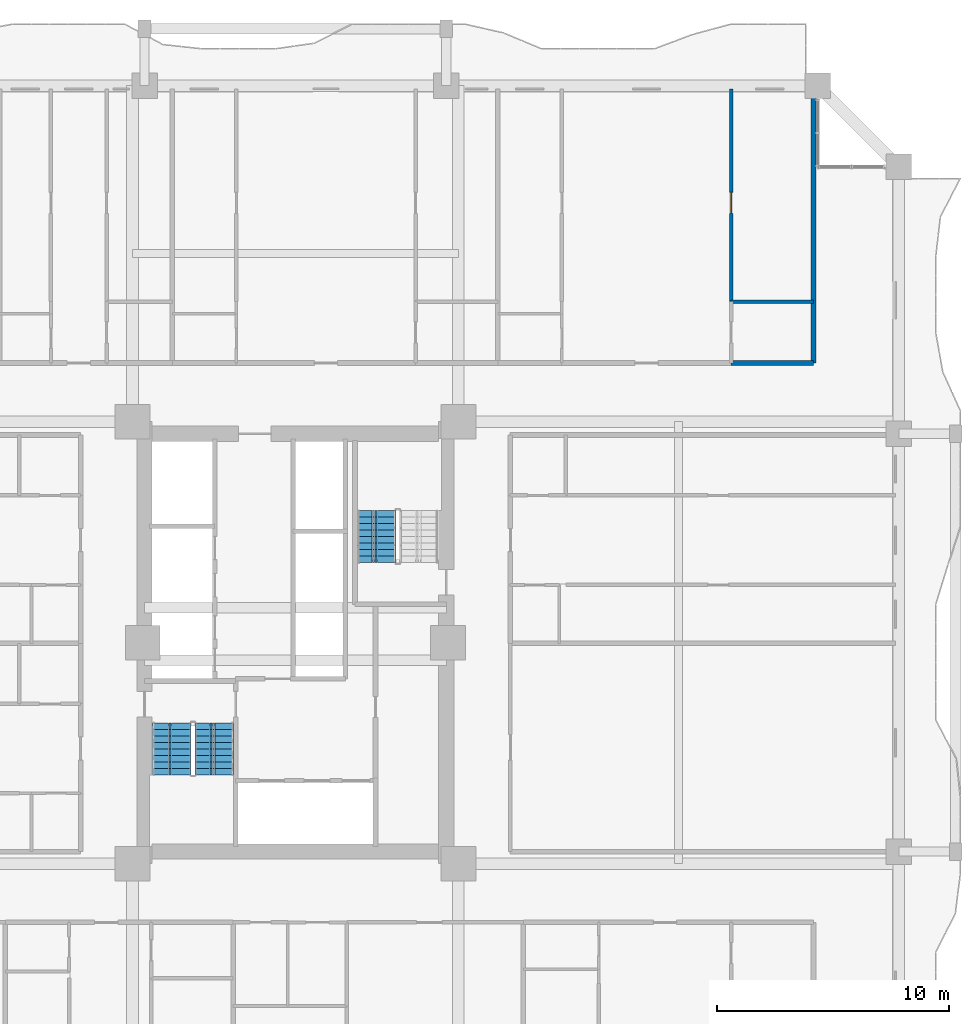
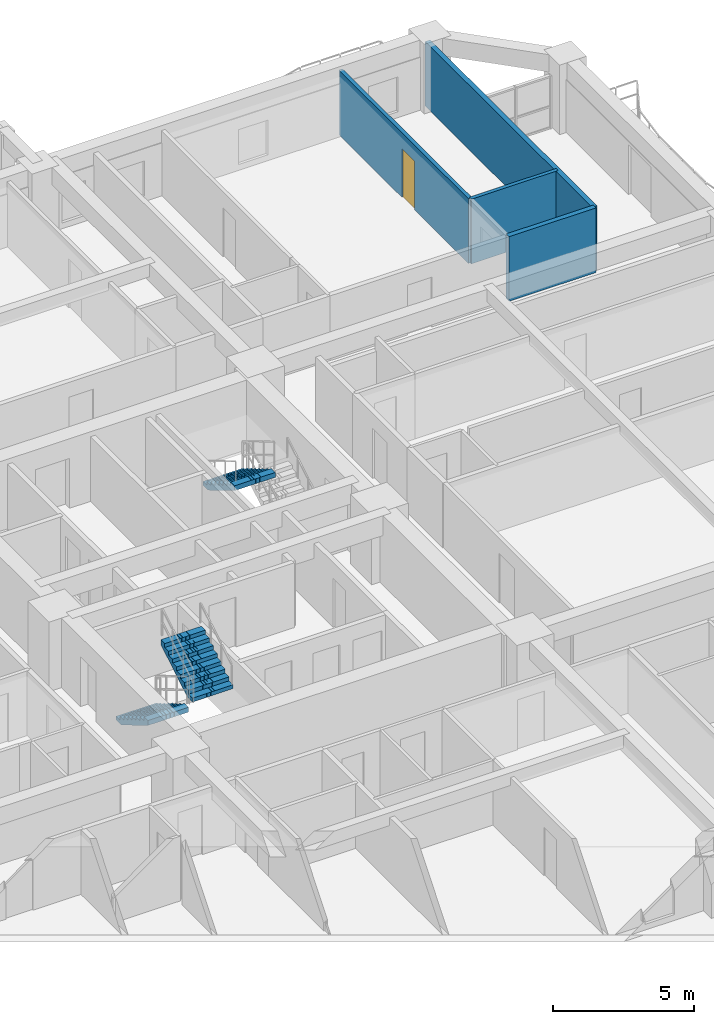
# One storey, part 20 of 27: 4 walls, 3 stair flights, 1 door, 1 opening, 2 elements without a shape of their own.
"""IFC4 building model written with IfcOpenShell, lengths in metres."""

from ifc_helpers import new_model, si_unit, direction, frame, frame_2d, origin, place, context, subcontext, project, spatial, polyline, rectangle, outline, extrude, source, transform, mapped, material, layer, layer_set, type_object, element, fill, aggregate, save


model = new_model("IFC4")

# Units and contexts
model_context = context("Model", 3, precision=1e-05, world=origin(), true_north=direction((0.0, 1.0)))
body_context = subcontext(model_context, "Body", "Model", "MODEL_VIEW")
ifc_project = project(units=[si_unit("LENGTHUNIT", "METRE"), si_unit("AREAUNIT", "SQUARE_METRE"), si_unit("VOLUMEUNIT", "CUBIC_METRE"), si_unit("PLANEANGLEUNIT", "RADIAN"), si_unit("MASSUNIT", "GRAM", prefix="KILO")], contexts=[model_context])

# Site, building, storey
site_placement = place(None, origin())
site = spatial("IfcSite", under=ifc_project, at=site_placement, CompositionType="ELEMENT")
building_placement = place(site_placement, origin())
building = spatial("IfcBuilding", under=site, at=building_placement, Name="Saelheon Loggia Tower", CompositionType="ELEMENT")
storey_placement = place(building_placement, frame((0.0, 0.0, 52.39990234375)))
storey = spatial("IfcBuildingStorey", under=building, at=storey_placement, Name="L16", CompositionType="ELEMENT", Elevation=52.39990234375)

# Wall
ifc_material_1 = material(Name="Lightweight Autoclaved Aerated Concrete Block and Acoustic Gypsum", Category="concrete")
ifc_layer_1 = layer(ifc_material_1, 0.14990234375)
ifc_layer_set_1 = layer_set([ifc_layer_1], Name="Lightweight Autoclaved Aerated Concrete Block and Acoustic Gypsum")
wall_type_1 = type_object("IfcWallType", Name="Wall_Part_150", PredefinedType="PARTITIONING", material=ifc_layer_set_1)
wall_1_placement = place(storey_placement, frame((56.77197265625, 41.68994140625, 0.0), z_axis=(0.0, 0.0, 1.0), x_axis=(1.0, 0.0, 0.0)))
element("IfcWall", 1, at=wall_1_placement, inside=storey, type_object=wall_type_1, Name="L16 N Partition V42", PredefinedType="PARTITIONING", context=body_context, shape_type="SweptSolid", body=[
    extrude(rectangle(XDim=3.548095703125, YDim=0.14990234375, at=frame_2d((1.77392578125, 0.0))), origin(), (0.0, 0.0, 1.0), 2.7900390625),
])

# Wall, opening, door
wall_2_placement = place(storey_placement, frame((56.77197265625, 41.68994140625, 0.0), z_axis=(0.0, 0.0, 1.0), x_axis=(0.0, 1.0, 0.0)))
wall_2 = element("IfcWall", 2, at=wall_2_placement, inside=storey, type_object=wall_type_1, Name="L16 N Partition U47", PredefinedType="PARTITIONING", context=body_context, shape_type="SweptSolid", body=[
    extrude(rectangle(XDim=9.16015625, YDim=0.14990234375, at=frame_2d((4.580078125, 0.0))), origin(), (0.0, 0.0, 1.0), 2.7900390625),
])
opening_placement = place(wall_2_placement, frame((3.805908203125, 0.0, 0.0)))
opening = element("IfcOpeningElement", 3, at=opening_placement, cuts=wall_2, Name="Opening D-IN2", PredefinedType="OPENING", context=body_context, shape_type="SweptSolid", body=[
    extrude(rectangle(XDim=0.89990234375, YDim=2.10009765625, at=frame_2d((0.449951171875, 1.050048828125))), frame((0.0, 0.0869140625, 0.0), z_axis=(0.0, -1.0, 0.0), x_axis=(1.0, 0.0, 0.0)), (0.0, 0.0, 1.0), 0.173828125),
])
ifc_material_2 = material(Name="Engineered Oak Flush Door", Category="timber")
door_type = type_object("IfcDoorType", Name="Door_Int_900", OperationType="NOTDEFINED", PredefinedType="DOOR", material=ifc_material_2)
shared_shape = source(origin(), body_context, "Body", "SweptSolid", [
    extrude(rectangle(XDim=0.89990234375, YDim=2.10009765625, at=frame_2d((0.449951171875, 1.050048828125))), frame((0.0, 0.02490234375, 0.0), z_axis=(0.0, -1.0, 0.0), x_axis=(1.0, 0.0, 0.0)), (0.0, 0.0, 1.0), 0.050048828125),
])
door_placement = place(opening_placement, origin())
door = element("IfcDoor", 4, at=door_placement, inside=storey, type_object=door_type, Name="Unit U06 Bedroom 1 Door", OperationType="SINGLE_SWING_LEFT", OverallHeight=2.10009765625, OverallWidth=0.89990234375, PredefinedType="DOOR", context=body_context, shape_type="MappedRepresentation", body=[
    mapped(shared_shape, transform((0.0, 0.0, 0.0), scale=1.0)),
])
fill(opening, door)

# Walls
ifc_material_3 = material(Name="Double Acoustic Stud and Fireboard Partition", Category="gypsum")
ifc_layer_2 = layer(ifc_material_3, 0.199951171875)
ifc_layer_set_2 = layer_set([ifc_layer_2], Name="Double Acoustic Stud and Fireboard Partition")
wall_type_2 = type_object("IfcWallType", Name="Wall_Party_200", PredefinedType="PARTITIONING", material=ifc_layer_set_2)
wall_3_placement = place(storey_placement, frame((60.320068359375, 39.050048828125, 0.0), z_axis=(0.0, 0.0, 1.0), x_axis=(0.0, 1.0, 0.0)))
element("IfcWall", 5, at=wall_3_placement, inside=storey, type_object=wall_type_2, Name="L16 N Partition U02", PredefinedType="PARTITIONING", context=body_context, shape_type="SweptSolid", body=[
    extrude(rectangle(XDim=11.800048828125, YDim=0.199951171875, at=frame_2d((5.89990234375, 0.0))), origin(), (0.0, 0.0, 1.0), 2.7900390625),
])
wall_4_placement = place(storey_placement, frame((56.77197265625, 39.050048828125, 0.0), z_axis=(0.0, 0.0, 1.0), x_axis=(1.0, 0.0, 0.0)))
element("IfcWall", 6, at=wall_4_placement, inside=storey, type_object=wall_type_2, Name="L16 N Partition V40", PredefinedType="PARTITIONING", context=body_context, shape_type="SweptSolid", body=[
    extrude(rectangle(XDim=3.548095703125, YDim=0.199951171875, at=frame_2d((1.77392578125, 0.0))), origin(), (0.0, 0.0, 1.0), 2.7900390625),
])

# Stair, stair flights
ifc_material_4 = material(Name="Concrete C40/50", Category="concrete")
stair_type = type_object("IfcStairType", Name="Stair_Escape_Core", PredefinedType="HALF_TURN_STAIR", material=ifc_material_4)
stair_1_placement = place(storey_placement, origin())
stair_1 = element("IfcStair", 7, at=stair_1_placement, inside=storey, type_object=stair_type, Name="L16 Special Escape Stair ST1", PredefinedType="HALF_TURN_STAIR")
stair_flight_type = type_object("IfcStairFlightType", Name="StairFlight_Tower_1660", PredefinedType="STRAIGHT", material=ifc_material_4)
stair_flight_1_placement = place(storey_placement, frame((32.679931640625, 23.550048828125, 0.0), z_axis=(0.0, 0.0, 1.0), x_axis=(0.0, -1.0, 0.0)))
stair_flight_1 = element("IfcStairFlight", 8, at=stair_flight_1_placement, type_object=stair_flight_type, Name="ST1 flight 1", NumberOfRisers=9, NumberOfTreads=8, PredefinedType="STRAIGHT", RiserHeight=0.166666667, TreadLength=0.28, context=body_context, shape_type="SweptSolid", body=[
    extrude(outline(polyline([(0.0, 0.0), (0.0, 0.166748046875), (0.280029296875, 0.166748046875), (0.280029296875, 0.333251953125), (0.56005859375, 0.333251953125), (0.56005859375, 0.5), (0.840087890625, 0.5), (0.840087890625, 0.666748046875), (1.1201171875, 0.666748046875), (1.1201171875, 0.833251953125), (1.39990234375, 0.833251953125), (1.39990234375, 1.0), (1.679931640625, 1.0), (1.679931640625, 1.166748046875), (1.9599609375, 1.166748046875), (1.9599609375, 1.333251953125), (2.239990234375, 1.333251953125), (2.239990234375, 1.5), (2.239990234375, 1.1240234375), (0.351806640625, 0.0), (0.0, 0.0)])), frame((0.0, -0.2490234375, 0.0), z_axis=(0.0, -1.0, 0.0), x_axis=(1.0, 0.0, 0.0)), (0.0, 0.0, 1.0), 0.5810546875),
    extrude(outline(polyline([(0.0, 0.0), (0.0, 0.166748046875), (0.280029296875, 0.166748046875), (0.280029296875, 0.333251953125), (0.56005859375, 0.333251953125), (0.56005859375, 0.5), (0.840087890625, 0.5), (0.840087890625, 0.666748046875), (1.1201171875, 0.666748046875), (1.1201171875, 0.833251953125), (1.39990234375, 0.833251953125), (1.39990234375, 1.0), (1.679931640625, 1.0), (1.679931640625, 1.166748046875), (1.9599609375, 1.166748046875), (1.9599609375, 1.333251953125), (2.239990234375, 1.333251953125), (2.239990234375, 1.5), (2.239990234375, 1.1240234375), (0.351806640625, 0.0), (0.0, 0.0)])), frame((0.0, -0.194091796875, 0.0), z_axis=(0.0, -1.0, 0.0), x_axis=(1.0, 0.0, 0.0)), (0.0, 0.0, 1.0), 0.0498046875),
    extrude(outline(polyline([(0.0, 0.0), (0.0, 0.166748046875), (0.280029296875, 0.166748046875), (0.280029296875, 0.333251953125), (0.56005859375, 0.333251953125), (0.56005859375, 0.5), (0.840087890625, 0.5), (0.840087890625, 0.666748046875), (1.1201171875, 0.666748046875), (1.1201171875, 0.833251953125), (1.39990234375, 0.833251953125), (1.39990234375, 1.0), (1.679931640625, 1.0), (1.679931640625, 1.166748046875), (1.9599609375, 1.166748046875), (1.9599609375, 1.333251953125), (2.239990234375, 1.333251953125), (2.239990234375, 1.5), (2.239990234375, 1.1240234375), (0.351806640625, 0.0), (0.0, 0.0)])), frame((0.0, -0.139404296875, 0.0), z_axis=(0.0, -1.0, 0.0), x_axis=(1.0, 0.0, 0.0)), (0.0, 0.0, 1.0), 0.0498046875),
    extrude(outline(polyline([(0.0, 0.0), (0.0, 0.166748046875), (0.280029296875, 0.166748046875), (0.280029296875, 0.333251953125), (0.56005859375, 0.333251953125), (0.56005859375, 0.5), (0.840087890625, 0.5), (0.840087890625, 0.666748046875), (1.1201171875, 0.666748046875), (1.1201171875, 0.833251953125), (1.39990234375, 0.833251953125), (1.39990234375, 1.0), (1.679931640625, 1.0), (1.679931640625, 1.166748046875), (1.9599609375, 1.166748046875), (1.9599609375, 1.333251953125), (2.239990234375, 1.333251953125), (2.239990234375, 1.5), (2.239990234375, 1.1240234375), (0.351806640625, 0.0), (0.0, 0.0)])), frame((0.0, -0.084716796875, 0.0), z_axis=(0.0, -1.0, 0.0), x_axis=(1.0, 0.0, 0.0)), (0.0, 0.0, 1.0), 0.0498046875),
    extrude(outline(polyline([(0.0, 0.0), (0.0, 0.166748046875), (0.280029296875, 0.166748046875), (0.280029296875, 0.333251953125), (0.56005859375, 0.333251953125), (0.56005859375, 0.5), (0.840087890625, 0.5), (0.840087890625, 0.666748046875), (1.1201171875, 0.666748046875), (1.1201171875, 0.833251953125), (1.39990234375, 0.833251953125), (1.39990234375, 1.0), (1.679931640625, 1.0), (1.679931640625, 1.166748046875), (1.9599609375, 1.166748046875), (1.9599609375, 1.333251953125), (2.239990234375, 1.333251953125), (2.239990234375, 1.5), (2.239990234375, 1.1240234375), (0.351806640625, 0.0), (0.0, 0.0)])), frame((0.0, -0.02978515625, 0.0), z_axis=(0.0, -1.0, 0.0), x_axis=(1.0, 0.0, 0.0)), (0.0, 0.0, 1.0), 0.0498046875),
    extrude(outline(polyline([(0.0, 0.0), (0.0, 0.166748046875), (0.280029296875, 0.166748046875), (0.280029296875, 0.333251953125), (0.56005859375, 0.333251953125), (0.56005859375, 0.5), (0.840087890625, 0.5), (0.840087890625, 0.666748046875), (1.1201171875, 0.666748046875), (1.1201171875, 0.833251953125), (1.39990234375, 0.833251953125), (1.39990234375, 1.0), (1.679931640625, 1.0), (1.679931640625, 1.166748046875), (1.9599609375, 1.166748046875), (1.9599609375, 1.333251953125), (2.239990234375, 1.333251953125), (2.239990234375, 1.5), (2.239990234375, 1.1240234375), (0.351806640625, 0.0), (0.0, 0.0)])), frame((0.0, 0.02490234375, 0.0), z_axis=(0.0, -1.0, 0.0), x_axis=(1.0, 0.0, 0.0)), (0.0, 0.0, 1.0), 0.0498046875),
    extrude(outline(polyline([(0.0, 0.0), (0.0, 0.166748046875), (0.280029296875, 0.166748046875), (0.280029296875, 0.333251953125), (0.56005859375, 0.333251953125), (0.56005859375, 0.5), (0.840087890625, 0.5), (0.840087890625, 0.666748046875), (1.1201171875, 0.666748046875), (1.1201171875, 0.833251953125), (1.39990234375, 0.833251953125), (1.39990234375, 1.0), (1.679931640625, 1.0), (1.679931640625, 1.166748046875), (1.9599609375, 1.166748046875), (1.9599609375, 1.333251953125), (2.239990234375, 1.333251953125), (2.239990234375, 1.5), (2.239990234375, 1.1240234375), (0.351806640625, 0.0), (0.0, 0.0)])), frame((0.0, 0.07958984375, 0.0), z_axis=(0.0, -1.0, 0.0), x_axis=(1.0, 0.0, 0.0)), (0.0, 0.0, 1.0), 0.0498046875),
    extrude(outline(polyline([(0.0, 0.0), (0.0, 0.166748046875), (0.280029296875, 0.166748046875), (0.280029296875, 0.333251953125), (0.56005859375, 0.333251953125), (0.56005859375, 0.5), (0.840087890625, 0.5), (0.840087890625, 0.666748046875), (1.1201171875, 0.666748046875), (1.1201171875, 0.833251953125), (1.39990234375, 0.833251953125), (1.39990234375, 1.0), (1.679931640625, 1.0), (1.679931640625, 1.166748046875), (1.9599609375, 1.166748046875), (1.9599609375, 1.333251953125), (2.239990234375, 1.333251953125), (2.239990234375, 1.5), (2.239990234375, 1.1240234375), (0.351806640625, 0.0), (0.0, 0.0)])), frame((0.0, 0.134521484375, 0.0), z_axis=(0.0, -1.0, 0.0), x_axis=(1.0, 0.0, 0.0)), (0.0, 0.0, 1.0), 0.0498046875),
    extrude(outline(polyline([(0.0, 0.0), (0.0, 0.166748046875), (0.280029296875, 0.166748046875), (0.280029296875, 0.333251953125), (0.56005859375, 0.333251953125), (0.56005859375, 0.5), (0.840087890625, 0.5), (0.840087890625, 0.666748046875), (1.1201171875, 0.666748046875), (1.1201171875, 0.833251953125), (1.39990234375, 0.833251953125), (1.39990234375, 1.0), (1.679931640625, 1.0), (1.679931640625, 1.166748046875), (1.9599609375, 1.166748046875), (1.9599609375, 1.333251953125), (2.239990234375, 1.333251953125), (2.239990234375, 1.5), (2.239990234375, 1.1240234375), (0.351806640625, 0.0), (0.0, 0.0)])), frame((0.0, 0.189208984375, 0.0), z_axis=(0.0, -1.0, 0.0), x_axis=(1.0, 0.0, 0.0)), (0.0, 0.0, 1.0), 0.0498046875),
    extrude(outline(polyline([(0.0, 0.0), (0.0, 0.166748046875), (0.280029296875, 0.166748046875), (0.280029296875, 0.333251953125), (0.56005859375, 0.333251953125), (0.56005859375, 0.5), (0.840087890625, 0.5), (0.840087890625, 0.666748046875), (1.1201171875, 0.666748046875), (1.1201171875, 0.833251953125), (1.39990234375, 0.833251953125), (1.39990234375, 1.0), (1.679931640625, 1.0), (1.679931640625, 1.166748046875), (1.9599609375, 1.166748046875), (1.9599609375, 1.333251953125), (2.239990234375, 1.333251953125), (2.239990234375, 1.5), (2.239990234375, 1.1240234375), (0.351806640625, 0.0), (0.0, 0.0)])), frame((0.0, 0.243896484375, 0.0), z_axis=(0.0, -1.0, 0.0), x_axis=(1.0, 0.0, 0.0)), (0.0, 0.0, 1.0), 0.0498046875),
    extrude(outline(polyline([(0.0, 0.0), (0.0, 0.166748046875), (0.280029296875, 0.166748046875), (0.280029296875, 0.333251953125), (0.56005859375, 0.333251953125), (0.56005859375, 0.5), (0.840087890625, 0.5), (0.840087890625, 0.666748046875), (1.1201171875, 0.666748046875), (1.1201171875, 0.833251953125), (1.39990234375, 0.833251953125), (1.39990234375, 1.0), (1.679931640625, 1.0), (1.679931640625, 1.166748046875), (1.9599609375, 1.166748046875), (1.9599609375, 1.333251953125), (2.239990234375, 1.333251953125), (2.239990234375, 1.5), (2.239990234375, 1.1240234375), (0.351806640625, 0.0), (0.0, 0.0)])), frame((0.0, 0.830078125, 0.0), z_axis=(0.0, -1.0, 0.0), x_axis=(1.0, 0.0, 0.0)), (0.0, 0.0, 1.0), 0.5810546875),
])
stair_flight_2_placement = place(storey_placement, frame((34.5, 21.31005859375, 1.5), z_axis=(0.0, 0.0, 1.0), x_axis=(0.0, 1.0, 0.0)))
stair_flight_2 = element("IfcStairFlight", 9, at=stair_flight_2_placement, type_object=stair_flight_type, Name="ST1 flight 2", NumberOfRisers=9, NumberOfTreads=8, PredefinedType="STRAIGHT", RiserHeight=0.166666667, TreadLength=0.28, context=body_context, shape_type="SweptSolid", body=[
    extrude(outline(polyline([(0.0, 0.0), (0.0, 0.166748046875), (0.280029296875, 0.166748046875), (0.280029296875, 0.333251953125), (0.56005859375, 0.333251953125), (0.56005859375, 0.5), (0.840087890625, 0.5), (0.840087890625, 0.666748046875), (1.1201171875, 0.666748046875), (1.1201171875, 0.833251953125), (1.39990234375, 0.833251953125), (1.39990234375, 1.0), (1.679931640625, 1.0), (1.679931640625, 1.166748046875), (1.9599609375, 1.166748046875), (1.9599609375, 1.333251953125), (2.239990234375, 1.333251953125), (2.239990234375, 1.5), (2.239990234375, 1.1240234375), (0.351806640625, 0.0), (0.0, 0.0)])), frame((0.0, -0.2490234375, 0.0), z_axis=(0.0, -1.0, 0.0), x_axis=(1.0, 0.0, 0.0)), (0.0, 0.0, 1.0), 0.5810546875),
    extrude(outline(polyline([(0.0, 0.0), (0.0, 0.166748046875), (0.280029296875, 0.166748046875), (0.280029296875, 0.333251953125), (0.56005859375, 0.333251953125), (0.56005859375, 0.5), (0.840087890625, 0.5), (0.840087890625, 0.666748046875), (1.1201171875, 0.666748046875), (1.1201171875, 0.833251953125), (1.39990234375, 0.833251953125), (1.39990234375, 1.0), (1.679931640625, 1.0), (1.679931640625, 1.166748046875), (1.9599609375, 1.166748046875), (1.9599609375, 1.333251953125), (2.239990234375, 1.333251953125), (2.239990234375, 1.5), (2.239990234375, 1.1240234375), (0.351806640625, 0.0), (0.0, 0.0)])), frame((0.0, -0.194091796875, 0.0), z_axis=(0.0, -1.0, 0.0), x_axis=(1.0, 0.0, 0.0)), (0.0, 0.0, 1.0), 0.0498046875),
    extrude(outline(polyline([(0.0, 0.0), (0.0, 0.166748046875), (0.280029296875, 0.166748046875), (0.280029296875, 0.333251953125), (0.56005859375, 0.333251953125), (0.56005859375, 0.5), (0.840087890625, 0.5), (0.840087890625, 0.666748046875), (1.1201171875, 0.666748046875), (1.1201171875, 0.833251953125), (1.39990234375, 0.833251953125), (1.39990234375, 1.0), (1.679931640625, 1.0), (1.679931640625, 1.166748046875), (1.9599609375, 1.166748046875), (1.9599609375, 1.333251953125), (2.239990234375, 1.333251953125), (2.239990234375, 1.5), (2.239990234375, 1.1240234375), (0.351806640625, 0.0), (0.0, 0.0)])), frame((0.0, -0.139404296875, 0.0), z_axis=(0.0, -1.0, 0.0), x_axis=(1.0, 0.0, 0.0)), (0.0, 0.0, 1.0), 0.0498046875),
    extrude(outline(polyline([(0.0, 0.0), (0.0, 0.166748046875), (0.280029296875, 0.166748046875), (0.280029296875, 0.333251953125), (0.56005859375, 0.333251953125), (0.56005859375, 0.5), (0.840087890625, 0.5), (0.840087890625, 0.666748046875), (1.1201171875, 0.666748046875), (1.1201171875, 0.833251953125), (1.39990234375, 0.833251953125), (1.39990234375, 1.0), (1.679931640625, 1.0), (1.679931640625, 1.166748046875), (1.9599609375, 1.166748046875), (1.9599609375, 1.333251953125), (2.239990234375, 1.333251953125), (2.239990234375, 1.5), (2.239990234375, 1.1240234375), (0.351806640625, 0.0), (0.0, 0.0)])), frame((0.0, -0.084716796875, 0.0), z_axis=(0.0, -1.0, 0.0), x_axis=(1.0, 0.0, 0.0)), (0.0, 0.0, 1.0), 0.0498046875),
    extrude(outline(polyline([(0.0, 0.0), (0.0, 0.166748046875), (0.280029296875, 0.166748046875), (0.280029296875, 0.333251953125), (0.56005859375, 0.333251953125), (0.56005859375, 0.5), (0.840087890625, 0.5), (0.840087890625, 0.666748046875), (1.1201171875, 0.666748046875), (1.1201171875, 0.833251953125), (1.39990234375, 0.833251953125), (1.39990234375, 1.0), (1.679931640625, 1.0), (1.679931640625, 1.166748046875), (1.9599609375, 1.166748046875), (1.9599609375, 1.333251953125), (2.239990234375, 1.333251953125), (2.239990234375, 1.5), (2.239990234375, 1.1240234375), (0.351806640625, 0.0), (0.0, 0.0)])), frame((0.0, -0.02978515625, 0.0), z_axis=(0.0, -1.0, 0.0), x_axis=(1.0, 0.0, 0.0)), (0.0, 0.0, 1.0), 0.0498046875),
    extrude(outline(polyline([(0.0, 0.0), (0.0, 0.166748046875), (0.280029296875, 0.166748046875), (0.280029296875, 0.333251953125), (0.56005859375, 0.333251953125), (0.56005859375, 0.5), (0.840087890625, 0.5), (0.840087890625, 0.666748046875), (1.1201171875, 0.666748046875), (1.1201171875, 0.833251953125), (1.39990234375, 0.833251953125), (1.39990234375, 1.0), (1.679931640625, 1.0), (1.679931640625, 1.166748046875), (1.9599609375, 1.166748046875), (1.9599609375, 1.333251953125), (2.239990234375, 1.333251953125), (2.239990234375, 1.5), (2.239990234375, 1.1240234375), (0.351806640625, 0.0), (0.0, 0.0)])), frame((0.0, 0.02490234375, 0.0), z_axis=(0.0, -1.0, 0.0), x_axis=(1.0, 0.0, 0.0)), (0.0, 0.0, 1.0), 0.0498046875),
    extrude(outline(polyline([(0.0, 0.0), (0.0, 0.166748046875), (0.280029296875, 0.166748046875), (0.280029296875, 0.333251953125), (0.56005859375, 0.333251953125), (0.56005859375, 0.5), (0.840087890625, 0.5), (0.840087890625, 0.666748046875), (1.1201171875, 0.666748046875), (1.1201171875, 0.833251953125), (1.39990234375, 0.833251953125), (1.39990234375, 1.0), (1.679931640625, 1.0), (1.679931640625, 1.166748046875), (1.9599609375, 1.166748046875), (1.9599609375, 1.333251953125), (2.239990234375, 1.333251953125), (2.239990234375, 1.5), (2.239990234375, 1.1240234375), (0.351806640625, 0.0), (0.0, 0.0)])), frame((0.0, 0.07958984375, 0.0), z_axis=(0.0, -1.0, 0.0), x_axis=(1.0, 0.0, 0.0)), (0.0, 0.0, 1.0), 0.0498046875),
    extrude(outline(polyline([(0.0, 0.0), (0.0, 0.166748046875), (0.280029296875, 0.166748046875), (0.280029296875, 0.333251953125), (0.56005859375, 0.333251953125), (0.56005859375, 0.5), (0.840087890625, 0.5), (0.840087890625, 0.666748046875), (1.1201171875, 0.666748046875), (1.1201171875, 0.833251953125), (1.39990234375, 0.833251953125), (1.39990234375, 1.0), (1.679931640625, 1.0), (1.679931640625, 1.166748046875), (1.9599609375, 1.166748046875), (1.9599609375, 1.333251953125), (2.239990234375, 1.333251953125), (2.239990234375, 1.5), (2.239990234375, 1.1240234375), (0.351806640625, 0.0), (0.0, 0.0)])), frame((0.0, 0.134521484375, 0.0), z_axis=(0.0, -1.0, 0.0), x_axis=(1.0, 0.0, 0.0)), (0.0, 0.0, 1.0), 0.0498046875),
    extrude(outline(polyline([(0.0, 0.0), (0.0, 0.166748046875), (0.280029296875, 0.166748046875), (0.280029296875, 0.333251953125), (0.56005859375, 0.333251953125), (0.56005859375, 0.5), (0.840087890625, 0.5), (0.840087890625, 0.666748046875), (1.1201171875, 0.666748046875), (1.1201171875, 0.833251953125), (1.39990234375, 0.833251953125), (1.39990234375, 1.0), (1.679931640625, 1.0), (1.679931640625, 1.166748046875), (1.9599609375, 1.166748046875), (1.9599609375, 1.333251953125), (2.239990234375, 1.333251953125), (2.239990234375, 1.5), (2.239990234375, 1.1240234375), (0.351806640625, 0.0), (0.0, 0.0)])), frame((0.0, 0.189208984375, 0.0), z_axis=(0.0, -1.0, 0.0), x_axis=(1.0, 0.0, 0.0)), (0.0, 0.0, 1.0), 0.0498046875),
    extrude(outline(polyline([(0.0, 0.0), (0.0, 0.166748046875), (0.280029296875, 0.166748046875), (0.280029296875, 0.333251953125), (0.56005859375, 0.333251953125), (0.56005859375, 0.5), (0.840087890625, 0.5), (0.840087890625, 0.666748046875), (1.1201171875, 0.666748046875), (1.1201171875, 0.833251953125), (1.39990234375, 0.833251953125), (1.39990234375, 1.0), (1.679931640625, 1.0), (1.679931640625, 1.166748046875), (1.9599609375, 1.166748046875), (1.9599609375, 1.333251953125), (2.239990234375, 1.333251953125), (2.239990234375, 1.5), (2.239990234375, 1.1240234375), (0.351806640625, 0.0), (0.0, 0.0)])), frame((0.0, 0.243896484375, 0.0), z_axis=(0.0, -1.0, 0.0), x_axis=(1.0, 0.0, 0.0)), (0.0, 0.0, 1.0), 0.0498046875),
    extrude(outline(polyline([(0.0, 0.0), (0.0, 0.166748046875), (0.280029296875, 0.166748046875), (0.280029296875, 0.333251953125), (0.56005859375, 0.333251953125), (0.56005859375, 0.5), (0.840087890625, 0.5), (0.840087890625, 0.666748046875), (1.1201171875, 0.666748046875), (1.1201171875, 0.833251953125), (1.39990234375, 0.833251953125), (1.39990234375, 1.0), (1.679931640625, 1.0), (1.679931640625, 1.166748046875), (1.9599609375, 1.166748046875), (1.9599609375, 1.333251953125), (2.239990234375, 1.333251953125), (2.239990234375, 1.5), (2.239990234375, 1.1240234375), (0.351806640625, 0.0), (0.0, 0.0)])), frame((0.0, 0.830078125, 0.0), z_axis=(0.0, -1.0, 0.0), x_axis=(1.0, 0.0, 0.0)), (0.0, 0.0, 1.0), 0.5810546875),
])
aggregate(stair_1, [stair_flight_1, stair_flight_2])

# Stair, stair flight
stair_2_placement = place(storey_placement, origin())
stair_2 = element("IfcStair", 10, at=stair_2_placement, inside=storey, type_object=stair_type, Name="L16 Special Escape Stair ST2", PredefinedType="HALF_TURN_STAIR")
stair_flight_3_placement = place(storey_placement, frame((41.5, 32.68994140625, 1.5), z_axis=(0.0, 0.0, 1.0), x_axis=(0.0, -1.0, 0.0)))
stair_flight_3 = element("IfcStairFlight", 11, at=stair_flight_3_placement, type_object=stair_flight_type, Name="ST2 flight 2", NumberOfRisers=9, NumberOfTreads=8, PredefinedType="STRAIGHT", RiserHeight=0.166666667, TreadLength=0.28, context=body_context, shape_type="SweptSolid", body=[
    extrude(outline(polyline([(0.0, 0.0), (0.0, 0.166748046875), (0.280029296875, 0.166748046875), (0.280029296875, 0.333251953125), (0.56005859375, 0.333251953125), (0.56005859375, 0.5), (0.840087890625, 0.5), (0.840087890625, 0.666748046875), (1.1201171875, 0.666748046875), (1.1201171875, 0.833251953125), (1.39990234375, 0.833251953125), (1.39990234375, 1.0), (1.679931640625, 1.0), (1.679931640625, 1.166748046875), (1.9599609375, 1.166748046875), (1.9599609375, 1.333251953125), (2.239990234375, 1.333251953125), (2.239990234375, 1.5), (2.239990234375, 1.1240234375), (0.351806640625, 0.0), (0.0, 0.0)])), frame((0.0, -0.2490234375, 0.0), z_axis=(0.0, -1.0, 0.0), x_axis=(1.0, 0.0, 0.0)), (0.0, 0.0, 1.0), 0.5810546875),
    extrude(outline(polyline([(0.0, 0.0), (0.0, 0.166748046875), (0.280029296875, 0.166748046875), (0.280029296875, 0.333251953125), (0.56005859375, 0.333251953125), (0.56005859375, 0.5), (0.840087890625, 0.5), (0.840087890625, 0.666748046875), (1.1201171875, 0.666748046875), (1.1201171875, 0.833251953125), (1.39990234375, 0.833251953125), (1.39990234375, 1.0), (1.679931640625, 1.0), (1.679931640625, 1.166748046875), (1.9599609375, 1.166748046875), (1.9599609375, 1.333251953125), (2.239990234375, 1.333251953125), (2.239990234375, 1.5), (2.239990234375, 1.1240234375), (0.351806640625, 0.0), (0.0, 0.0)])), frame((0.0, -0.194091796875, 0.0), z_axis=(0.0, -1.0, 0.0), x_axis=(1.0, 0.0, 0.0)), (0.0, 0.0, 1.0), 0.0498046875),
    extrude(outline(polyline([(0.0, 0.0), (0.0, 0.166748046875), (0.280029296875, 0.166748046875), (0.280029296875, 0.333251953125), (0.56005859375, 0.333251953125), (0.56005859375, 0.5), (0.840087890625, 0.5), (0.840087890625, 0.666748046875), (1.1201171875, 0.666748046875), (1.1201171875, 0.833251953125), (1.39990234375, 0.833251953125), (1.39990234375, 1.0), (1.679931640625, 1.0), (1.679931640625, 1.166748046875), (1.9599609375, 1.166748046875), (1.9599609375, 1.333251953125), (2.239990234375, 1.333251953125), (2.239990234375, 1.5), (2.239990234375, 1.1240234375), (0.351806640625, 0.0), (0.0, 0.0)])), frame((0.0, -0.139404296875, 0.0), z_axis=(0.0, -1.0, 0.0), x_axis=(1.0, 0.0, 0.0)), (0.0, 0.0, 1.0), 0.0498046875),
    extrude(outline(polyline([(0.0, 0.0), (0.0, 0.166748046875), (0.280029296875, 0.166748046875), (0.280029296875, 0.333251953125), (0.56005859375, 0.333251953125), (0.56005859375, 0.5), (0.840087890625, 0.5), (0.840087890625, 0.666748046875), (1.1201171875, 0.666748046875), (1.1201171875, 0.833251953125), (1.39990234375, 0.833251953125), (1.39990234375, 1.0), (1.679931640625, 1.0), (1.679931640625, 1.166748046875), (1.9599609375, 1.166748046875), (1.9599609375, 1.333251953125), (2.239990234375, 1.333251953125), (2.239990234375, 1.5), (2.239990234375, 1.1240234375), (0.351806640625, 0.0), (0.0, 0.0)])), frame((0.0, -0.084716796875, 0.0), z_axis=(0.0, -1.0, 0.0), x_axis=(1.0, 0.0, 0.0)), (0.0, 0.0, 1.0), 0.0498046875),
    extrude(outline(polyline([(0.0, 0.0), (0.0, 0.166748046875), (0.280029296875, 0.166748046875), (0.280029296875, 0.333251953125), (0.56005859375, 0.333251953125), (0.56005859375, 0.5), (0.840087890625, 0.5), (0.840087890625, 0.666748046875), (1.1201171875, 0.666748046875), (1.1201171875, 0.833251953125), (1.39990234375, 0.833251953125), (1.39990234375, 1.0), (1.679931640625, 1.0), (1.679931640625, 1.166748046875), (1.9599609375, 1.166748046875), (1.9599609375, 1.333251953125), (2.239990234375, 1.333251953125), (2.239990234375, 1.5), (2.239990234375, 1.1240234375), (0.351806640625, 0.0), (0.0, 0.0)])), frame((0.0, -0.02978515625, 0.0), z_axis=(0.0, -1.0, 0.0), x_axis=(1.0, 0.0, 0.0)), (0.0, 0.0, 1.0), 0.0498046875),
    extrude(outline(polyline([(0.0, 0.0), (0.0, 0.166748046875), (0.280029296875, 0.166748046875), (0.280029296875, 0.333251953125), (0.56005859375, 0.333251953125), (0.56005859375, 0.5), (0.840087890625, 0.5), (0.840087890625, 0.666748046875), (1.1201171875, 0.666748046875), (1.1201171875, 0.833251953125), (1.39990234375, 0.833251953125), (1.39990234375, 1.0), (1.679931640625, 1.0), (1.679931640625, 1.166748046875), (1.9599609375, 1.166748046875), (1.9599609375, 1.333251953125), (2.239990234375, 1.333251953125), (2.239990234375, 1.5), (2.239990234375, 1.1240234375), (0.351806640625, 0.0), (0.0, 0.0)])), frame((0.0, 0.02490234375, 0.0), z_axis=(0.0, -1.0, 0.0), x_axis=(1.0, 0.0, 0.0)), (0.0, 0.0, 1.0), 0.0498046875),
    extrude(outline(polyline([(0.0, 0.0), (0.0, 0.166748046875), (0.280029296875, 0.166748046875), (0.280029296875, 0.333251953125), (0.56005859375, 0.333251953125), (0.56005859375, 0.5), (0.840087890625, 0.5), (0.840087890625, 0.666748046875), (1.1201171875, 0.666748046875), (1.1201171875, 0.833251953125), (1.39990234375, 0.833251953125), (1.39990234375, 1.0), (1.679931640625, 1.0), (1.679931640625, 1.166748046875), (1.9599609375, 1.166748046875), (1.9599609375, 1.333251953125), (2.239990234375, 1.333251953125), (2.239990234375, 1.5), (2.239990234375, 1.1240234375), (0.351806640625, 0.0), (0.0, 0.0)])), frame((0.0, 0.07958984375, 0.0), z_axis=(0.0, -1.0, 0.0), x_axis=(1.0, 0.0, 0.0)), (0.0, 0.0, 1.0), 0.0498046875),
    extrude(outline(polyline([(0.0, 0.0), (0.0, 0.166748046875), (0.280029296875, 0.166748046875), (0.280029296875, 0.333251953125), (0.56005859375, 0.333251953125), (0.56005859375, 0.5), (0.840087890625, 0.5), (0.840087890625, 0.666748046875), (1.1201171875, 0.666748046875), (1.1201171875, 0.833251953125), (1.39990234375, 0.833251953125), (1.39990234375, 1.0), (1.679931640625, 1.0), (1.679931640625, 1.166748046875), (1.9599609375, 1.166748046875), (1.9599609375, 1.333251953125), (2.239990234375, 1.333251953125), (2.239990234375, 1.5), (2.239990234375, 1.1240234375), (0.351806640625, 0.0), (0.0, 0.0)])), frame((0.0, 0.134521484375, 0.0), z_axis=(0.0, -1.0, 0.0), x_axis=(1.0, 0.0, 0.0)), (0.0, 0.0, 1.0), 0.0498046875),
    extrude(outline(polyline([(0.0, 0.0), (0.0, 0.166748046875), (0.280029296875, 0.166748046875), (0.280029296875, 0.333251953125), (0.56005859375, 0.333251953125), (0.56005859375, 0.5), (0.840087890625, 0.5), (0.840087890625, 0.666748046875), (1.1201171875, 0.666748046875), (1.1201171875, 0.833251953125), (1.39990234375, 0.833251953125), (1.39990234375, 1.0), (1.679931640625, 1.0), (1.679931640625, 1.166748046875), (1.9599609375, 1.166748046875), (1.9599609375, 1.333251953125), (2.239990234375, 1.333251953125), (2.239990234375, 1.5), (2.239990234375, 1.1240234375), (0.351806640625, 0.0), (0.0, 0.0)])), frame((0.0, 0.189208984375, 0.0), z_axis=(0.0, -1.0, 0.0), x_axis=(1.0, 0.0, 0.0)), (0.0, 0.0, 1.0), 0.0498046875),
    extrude(outline(polyline([(0.0, 0.0), (0.0, 0.166748046875), (0.280029296875, 0.166748046875), (0.280029296875, 0.333251953125), (0.56005859375, 0.333251953125), (0.56005859375, 0.5), (0.840087890625, 0.5), (0.840087890625, 0.666748046875), (1.1201171875, 0.666748046875), (1.1201171875, 0.833251953125), (1.39990234375, 0.833251953125), (1.39990234375, 1.0), (1.679931640625, 1.0), (1.679931640625, 1.166748046875), (1.9599609375, 1.166748046875), (1.9599609375, 1.333251953125), (2.239990234375, 1.333251953125), (2.239990234375, 1.5), (2.239990234375, 1.1240234375), (0.351806640625, 0.0), (0.0, 0.0)])), frame((0.0, 0.243896484375, 0.0), z_axis=(0.0, -1.0, 0.0), x_axis=(1.0, 0.0, 0.0)), (0.0, 0.0, 1.0), 0.0498046875),
    extrude(outline(polyline([(0.0, 0.0), (0.0, 0.166748046875), (0.280029296875, 0.166748046875), (0.280029296875, 0.333251953125), (0.56005859375, 0.333251953125), (0.56005859375, 0.5), (0.840087890625, 0.5), (0.840087890625, 0.666748046875), (1.1201171875, 0.666748046875), (1.1201171875, 0.833251953125), (1.39990234375, 0.833251953125), (1.39990234375, 1.0), (1.679931640625, 1.0), (1.679931640625, 1.166748046875), (1.9599609375, 1.166748046875), (1.9599609375, 1.333251953125), (2.239990234375, 1.333251953125), (2.239990234375, 1.5), (2.239990234375, 1.1240234375), (0.351806640625, 0.0), (0.0, 0.0)])), frame((0.0, 0.830078125, 0.0), z_axis=(0.0, -1.0, 0.0), x_axis=(1.0, 0.0, 0.0)), (0.0, 0.0, 1.0), 0.5810546875),
])
aggregate(stair_2, [stair_flight_3])

save(model, "model.ifc")
